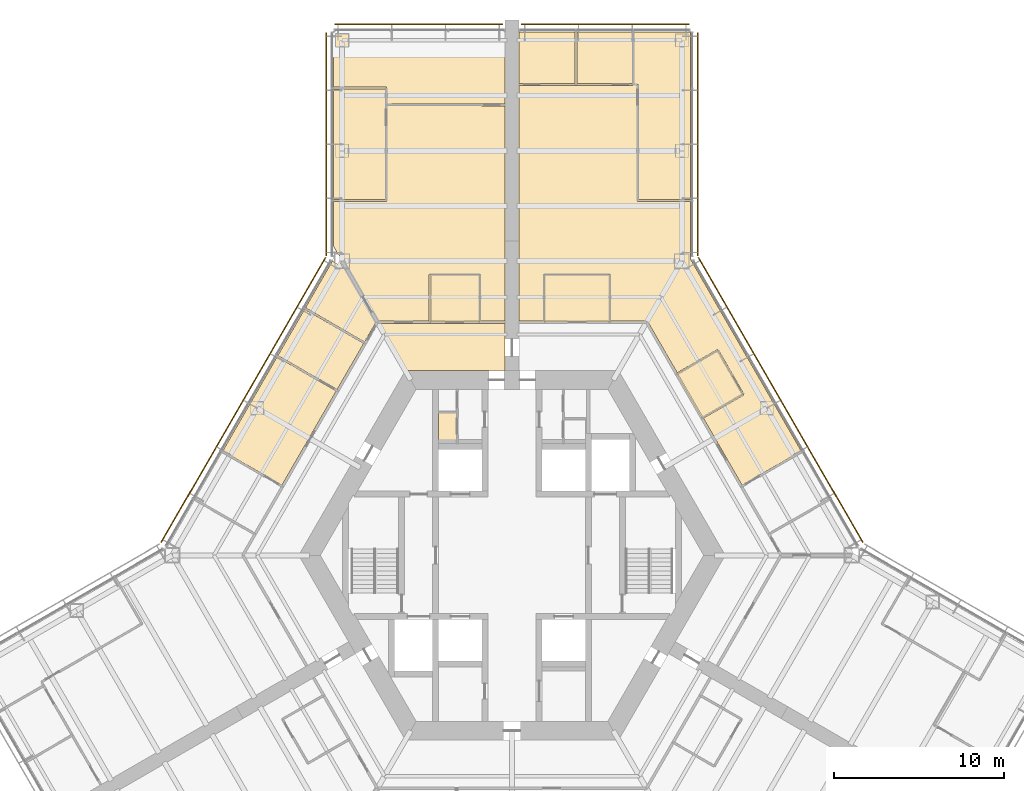
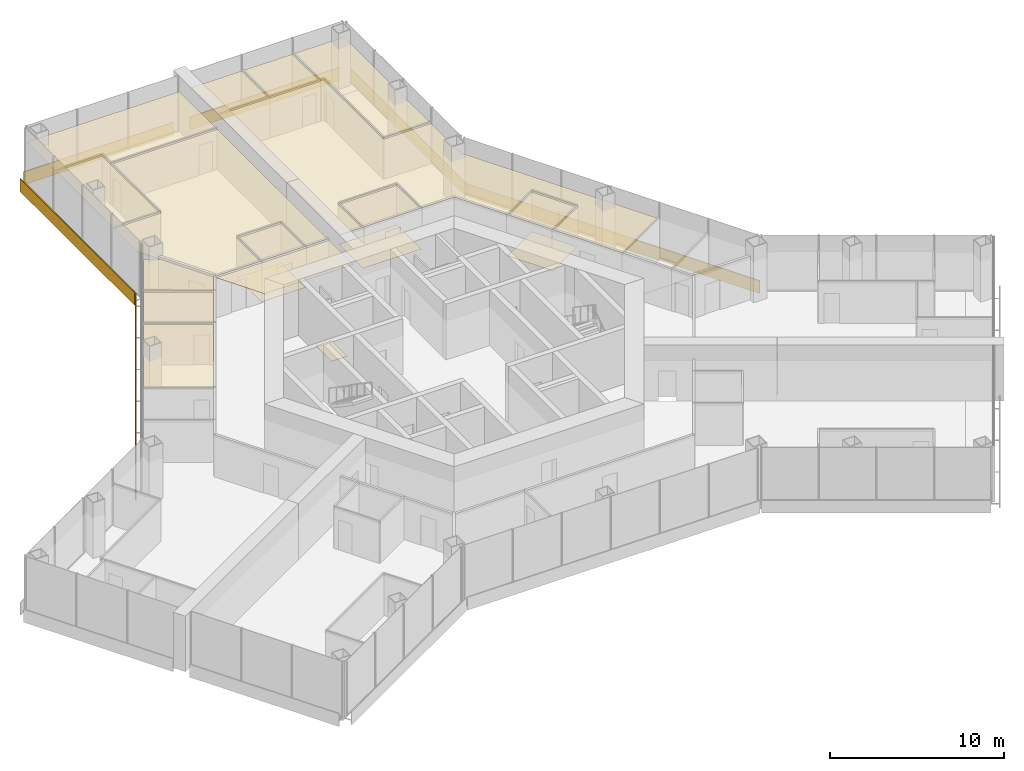
# One storey, part 19 of 19: 18 coverings, 6 shading devices.
"""IFC4 building model written with IfcOpenShell, lengths in metres."""

from ifc_helpers import new_model, si_unit, direction, frame, origin, origin_2d, place, context, subcontext, project, spatial, polyline, rectangle, outline, extrude, material, layer, layer_set, type_object, element, save


model = new_model("IFC4")

# Units and contexts
model_context = context("Model", 3, precision=1e-05, world=origin(), true_north=direction((0.0, 1.0)))
body_context = subcontext(model_context, "Body", "Model", "MODEL_VIEW")
ifc_project = project(units=[si_unit("LENGTHUNIT", "METRE"), si_unit("AREAUNIT", "SQUARE_METRE"), si_unit("VOLUMEUNIT", "CUBIC_METRE"), si_unit("PLANEANGLEUNIT", "RADIAN"), si_unit("MASSUNIT", "GRAM", prefix="KILO")], contexts=[model_context])

# Site, building, storey
site_placement = place(None, origin())
site = spatial("IfcSite", under=ifc_project, at=site_placement, CompositionType="ELEMENT")
building_placement = place(site_placement, origin())
building = spatial("IfcBuilding", under=site, at=building_placement, Name="Kasaneha Research Tower", CompositionType="ELEMENT")
storey_placement = place(building_placement, frame((0.0, 0.0, 104.10009765625)))
storey = spatial("IfcBuildingStorey", under=building, at=storey_placement, Name="L26", CompositionType="ELEMENT", Elevation=104.10009765625)

# Coverings
ifc_material_1 = material(Name="Gypsum ceiling board", Category="gypsum")
ifc_layer_1 = layer(ifc_material_1, 0.02001953125)
ifc_layer_set_1 = layer_set([ifc_layer_1], Name="Suspended ceiling 20")
covering_type_1 = type_object("IfcCoveringType", Name="Suspended ceiling 20", PredefinedType="CEILING", material=ifc_layer_set_1)
covering_1_placement = place(storey_placement, frame((0.0, 0.0, 2.7998046875)))
element("IfcCovering", 1, at=covering_1_placement, inside=storey, type_object=covering_type_1, Name="Ceiling L26-27", PredefinedType="CEILING", context=body_context, shape_type="SweptSolid", body=[
    extrude(outline(polyline([(1.954345703125, 13.800048828125), (1.9501953125, 16.47509765625), (5.70703125, 16.47509765625), (5.70263671875, 13.800048828125), (1.954345703125, 13.800048828125)])), origin(), (0.0, 0.0, 1.0), 0.02001953125),
])
covering_2_placement = place(storey_placement, frame((0.0, 0.0, 2.7998046875)))
element("IfcCovering", 2, at=covering_2_placement, inside=storey, type_object=covering_type_1, Name="Ceiling L26-28", PredefinedType="CEILING", context=body_context, shape_type="SweptSolid", body=[
    extrude(outline(polyline([(9.7783203125, 10.663330078125), (12.0927734375, 12.004638671875), (13.542724609375, 9.4931640625), (11.223876953125, 8.159423828125), (9.7783203125, 10.663330078125)])), origin(), (0.0, 0.0, 1.0), 0.02001953125),
])
covering_3_placement = place(storey_placement, frame((0.0, 0.0, 2.7998046875)))
element("IfcCovering", 3, at=covering_3_placement, inside=storey, type_object=covering_type_1, Name="Ceiling L26-29", PredefinedType="CEILING", context=body_context, shape_type="SweptSolid", body=[
    extrude(outline(polyline([(7.39892578125, 27.719482421875), (7.13330078125, 27.719970703125), (7.13330078125, 27.719970703125), (7.188232421875, 27.719970703125), (7.18359375, 30.800537109375), (7.1337890625, 30.800537109375), (7.1337890625, 30.821044921875), (10.50048828125, 30.820556640625), (10.5, 20.89111328125), (10.5, 20.941162109375), (7.449951171875, 20.941162109375), (7.448974609375, 27.719482421875), (7.39892578125, 27.719482421875), (7.39892578125, 27.719482421875)])), origin(), (0.0, 0.0, 1.0), 0.02001953125),
])
covering_4_placement = place(storey_placement, frame((0.0, 0.0, 2.7998046875)))
element("IfcCovering", 4, at=covering_4_placement, inside=storey, type_object=covering_type_1, Name="Ceiling L26-30", PredefinedType="CEILING", context=body_context, shape_type="SweptSolid", body=[
    extrude(outline(polyline([(7.13330078125, 30.820556640625), (7.13330078125, 30.800537109375), (7.083740234375, 30.800537109375), (7.088134765625, 27.7744140625), (3.821533203125, 27.77490234375), (3.816650390625, 30.800537109375), (3.7666015625, 30.800537109375), (3.7666015625, 30.820556640625), (7.13330078125, 30.820556640625)])), origin(), (0.0, 0.0, 1.0), 0.02001953125),
])
covering_5_placement = place(storey_placement, frame((0.0, 0.0, 2.7998046875)))
element("IfcCovering", 5, at=covering_5_placement, inside=storey, type_object=covering_type_1, Name="Ceiling L26-31", PredefinedType="CEILING", context=body_context, shape_type="SweptSolid", body=[
    extrude(outline(polyline([(3.7666015625, 30.820556640625), (3.7666015625, 30.800537109375), (3.716796875, 30.800537109375), (3.7216796875, 27.774658203125), (0.419921875, 27.7705078125), (0.419921875, 27.720458984375), (0.39990234375, 27.720458984375), (0.39990234375, 30.820556640625), (3.7666015625, 30.820556640625)])), origin(), (0.0, 0.0, 1.0), 0.02001953125),
])
covering_6_placement = place(storey_placement, frame((0.0, 0.0, 2.7998046875)))
element("IfcCovering", 6, at=covering_6_placement, inside=storey, type_object=covering_type_1, Name="Ceiling L26-34", PredefinedType="CEILING", context=body_context, shape_type="SweptSolid", body=[
    extrude(outline(polyline([(13.611572265625, 9.474853515625), (13.611328125, 9.47509765625), (13.654296875, 9.5), (12.154296875, 12.097900390625), (12.111572265625, 12.0732421875), (12.111328125, 12.073486328125), (12.111083984375, 12.0732421875), (12.0859375, 12.1162109375), (9.728271484375, 10.75), (7.989013671875, 13.762451171875), (7.924560546875, 13.725341796875), (7.924560546875, 13.725341796875), (7.924072265625, 13.725341796875), (7.924072265625, 13.800048828125), (5.802734375, 13.800048828125), (5.806884765625, 16.52490234375), (5.757080078125, 16.52490234375), (5.757080078125, 16.525390625), (5.757080078125, 16.525390625), (5.757080078125, 16.574951171875), (1.89990234375, 16.574951171875), (1.89990234375, 16.525390625), (1.899658203125, 16.525390625), (1.899658203125, 16.52490234375), (1.85009765625, 16.52490234375), (1.8544921875, 13.800048828125), (0.419921875, 13.800048828125), (0.419921875, 13.7255859375), (0.39990234375, 13.7255859375), (0.39990234375, 27.719970703125), (0.419921875, 27.719970703125), (0.420166015625, 27.67041015625), (3.766845703125, 27.6748046875), (7.13330078125, 27.674560546875), (7.13330078125, 27.719482421875), (7.39892578125, 27.719482421875), (7.39892578125, 27.719482421875), (7.34912109375, 27.719482421875), (7.35009765625, 20.89111328125), (7.399658203125, 20.89111328125), (7.399658203125, 20.890869140625), (7.39990234375, 20.890869140625), (7.39990234375, 20.841064453125), (10.5, 20.841064453125), (10.5, 17.45458984375), (17.055908203125, 6.09912109375), (17.055908203125, 6.09912109375), (17.03125, 6.14208984375), (13.551513671875, 4.128173828125), (11.27392578125, 8.072998046875), (13.635986328125, 9.431640625), (13.611328125, 9.474609375), (13.611572265625, 9.474853515625)])), origin(), (0.0, 0.0, 1.0), 0.02001953125),
])
covering_7_placement = place(storey_placement, frame((0.0, 0.0, 2.7998046875)))
element("IfcCovering", 7, at=covering_7_placement, inside=storey, type_object=covering_type_1, Name="Ceiling L26-35", PredefinedType="CEILING", context=body_context, shape_type="SweptSolid", body=[
    extrude(outline(polyline([(-0.39990234375, 11.72509765625), (-0.39990234375, 10.875), (-6.278564453125, 10.875), (-7.880859375, 13.64990234375), (-4.833984375, 13.64990234375), (-4.824462890625, 13.64990234375), (-1.904541015625, 13.64990234375), (-1.89501953125, 13.64990234375), (-0.419921875, 13.64990234375), (-0.419921875, 13.72509765625), (-0.39990234375, 13.72509765625), (-0.39990234375, 12.72509765625), (-0.39990234375, 11.72509765625)])), origin(), (0.0, 0.0, 1.0), 0.02001953125),
])
covering_8_placement = place(storey_placement, frame((0.0, 0.0, 2.7998046875)))
element("IfcCovering", 8, at=covering_8_placement, inside=storey, type_object=covering_type_1, Name="Ceiling L26-36", PredefinedType="CEILING", context=body_context, shape_type="SweptSolid", body=[
    extrude(outline(polyline([(-4.774658203125, 13.800048828125), (-4.77880859375, 16.47509765625), (-1.9501953125, 16.47509765625), (-1.954345703125, 13.800048828125), (-4.774658203125, 13.800048828125)])), origin(), (0.0, 0.0, 1.0), 0.02001953125),
])
covering_9_placement = place(storey_placement, frame((0.0, 0.0, 2.7998046875)))
element("IfcCovering", 9, at=covering_9_placement, inside=storey, type_object=covering_type_1, Name="Ceiling L26-37", PredefinedType="CEILING", context=body_context, shape_type="SweptSolid", body=[
    extrude(outline(polyline([(-10.5, 27.460693359375), (-7.449951171875, 27.460693359375), (-7.449951171875, 26.5244140625), (-7.449951171875, 26.514404296875), (-7.449951171875, 20.941162109375), (-10.5, 20.941162109375), (-10.5, 27.460693359375)])), origin(), (0.0, 0.0, 1.0), 0.02001953125),
])
covering_10_placement = place(storey_placement, frame((0.0, 0.0, 2.7998046875)))
element("IfcCovering", 10, at=covering_10_placement, inside=storey, type_object=covering_type_1, Name="Ceiling L26-38", PredefinedType="CEILING", context=body_context, shape_type="SweptSolid", body=[
    extrude(outline(polyline([(-0.419921875, 26.5205078125), (-0.419921875, 26.570556640625), (-7.35009765625, 26.574462890625), (-7.35009765625, 27.5107421875), (-7.39990234375, 27.5107421875), (-7.39990234375, 27.560791015625), (-10.5, 27.560791015625), (-10.5, 27.510986328125), (-10.50048828125, 27.510986328125), (-10.500244140625, 30.821044921875), (-0.39990234375, 30.820556640625), (-0.39990234375, 26.5205078125), (-0.419921875, 26.5205078125)])), origin(), (0.0, 0.0, 1.0), 0.02001953125),
])
covering_11_placement = place(storey_placement, frame((0.0, 0.0, 2.7998046875)))
element("IfcCovering", 11, at=covering_11_placement, inside=storey, type_object=covering_type_1, Name="Ceiling L26-39", PredefinedType="CEILING", context=body_context, shape_type="SweptSolid", body=[
    extrude(outline(polyline([(-1.89990234375, 16.525390625), (-1.89990234375, 16.574951171875), (-4.8291015625, 16.574951171875), (-4.8291015625, 16.525390625), (-4.8291015625, 16.52490234375), (-4.87890625, 16.52490234375), (-4.87451171875, 13.800048828125), (-7.90087890625, 13.800048828125), (-7.90087890625, 13.725341796875), (-7.92431640625, 13.725341796875), (-10.5, 18.1865234375), (-10.5, 20.841064453125), (-7.39990234375, 20.841064453125), (-7.39990234375, 20.890869140625), (-7.399658203125, 20.890869140625), (-7.399658203125, 20.89111328125), (-7.35009765625, 20.89111328125), (-7.35009765625, 26.474365234375), (-0.419921875, 26.470458984375), (-0.419921875, 26.52001953125), (-0.39990234375, 26.52001953125), (-0.39990234375, 13.7255859375), (-0.419921875, 13.7255859375), (-0.419921875, 13.800048828125), (-1.8544921875, 13.800048828125), (-1.85009765625, 16.52490234375), (-1.899658203125, 16.52490234375), (-1.899658203125, 16.525390625), (-1.89990234375, 16.525390625)])), origin(), (0.0, 0.0, 1.0), 0.02001953125),
])
covering_12_placement = place(storey_placement, frame((0.0, 0.0, 2.7998046875)))
element("IfcCovering", 12, at=covering_12_placement, inside=storey, type_object=covering_type_1, Name="Ceiling L26-45", PredefinedType="CEILING", context=body_context, shape_type="SweptSolid", body=[
    extrude(outline(polyline([(-13.809814453125, 11.7216796875), (-12.211669921875, 14.489990234375), (-8.732177734375, 12.475341796875), (-10.30078125, 9.758544921875), (-13.767578125, 11.755126953125), (-13.79248046875, 11.711669921875), (-13.809814453125, 11.7216796875)])), origin(), (0.0, 0.0, 1.0), 0.02001953125),
])
covering_13_placement = place(storey_placement, frame((0.0, 0.0, 2.7998046875)))
element("IfcCovering", 13, at=covering_13_placement, inside=storey, type_object=covering_type_1, Name="Ceiling L26-46", PredefinedType="CEILING", context=body_context, shape_type="SweptSolid", body=[
    extrude(outline(polyline([(-10.578369140625, 17.318603515625), (-9.709228515625, 16.81689453125), (-7.924072265625, 13.72509765625), (-7.935791015625, 13.705078125), (-8.000732421875, 13.742431640625), (-8.68212890625, 12.56201171875), (-12.16162109375, 14.576416015625), (-12.1865234375, 14.533203125), (-12.1865234375, 14.533203125), (-10.578369140625, 17.318603515625)])), origin(), (0.0, 0.0, 1.0), 0.02001953125),
])
covering_14_placement = place(storey_placement, frame((0.0, 0.0, 2.7998046875)))
element("IfcCovering", 14, at=covering_14_placement, inside=storey, type_object=covering_type_1, Name="Ceiling L26-48", PredefinedType="CEILING", context=body_context, shape_type="SweptSolid", body=[
    extrude(outline(polyline([(-17.055908203125, 6.09912109375), (-13.81005859375, 11.72119140625), (-13.792724609375, 11.711181640625), (-13.8173828125, 11.66845703125), (-10.350830078125, 9.671875), (-13.551513671875, 4.128173828125), (-17.03125, 6.14208984375), (-17.055908203125, 6.09912109375), (-17.055908203125, 6.09912109375)])), origin(), (0.0, 0.0, 1.0), 0.02001953125),
])

# Shading devices
ifc_material_2 = material(Name="Terracotta", Category="masonry")
ifc_layer_2 = layer(ifc_material_2, 0.06005859375)
ifc_layer_set_2 = layer_set([ifc_layer_2], Name="Terracotta baguette screen")
shading_device_type = type_object("IfcShadingDeviceType", Name="Terracotta baguette screen", PredefinedType="USERDEFINED", material=ifc_layer_set_2)
shading_device_1_placement = place(storey_placement, frame((15.82275390625, 9.13525390625, -0.449951171875), z_axis=(0.0, 0.0, 1.0), x_axis=(-0.49999996188, 0.866025425793, 0.0)))
element("IfcShadingDevice", 15, at=shading_device_1_placement, inside=storey, type_object=shading_device_type, Name="Baguette screen L26 07", ObjectType="TERRACOTTA BAGUETTE SCREEN", PredefinedType="USERDEFINED", context=body_context, shape_type="SweptSolid", body=[
    extrude(rectangle(XDim=19.37841796875, YDim=0.06005859375, at=origin_2d()), origin(), (0.0, 0.0, 1.0), 0.89990234375),
])
shading_device_2_placement = place(storey_placement, frame((10.949951171875, 24.200927734375, -0.449951171875), z_axis=(0.0, 0.0, 1.0), x_axis=(0.0, 1.0, 0.0)))
element("IfcShadingDevice", 16, at=shading_device_2_placement, inside=storey, type_object=shading_device_type, Name="Baguette screen L26 08", ObjectType="TERRACOTTA BAGUETTE SCREEN", PredefinedType="USERDEFINED", context=body_context, shape_type="SweptSolid", body=[
    extrude(rectangle(XDim=13.13916015625, YDim=0.06005859375, at=origin_2d()), origin(), (0.0, 0.0, 1.0), 0.89990234375),
])
for number, where, z_axis, x_axis, name in (
    (17, (5.5, 31.2705078125, -0.449951171875), (0.0, 0.0, 1.0), (-1.0, 0.0, 0.0), "Baguette screen L26 09"),
    (18, (-5.5, 31.2705078125, -0.449951171875), (0.0, 0.0, 1.0), (-1.0, 0.0, 0.0), "Baguette screen L26 10"),
):
    element("IfcShadingDevice", number, at=place(storey_placement, frame(where, z_axis=z_axis, x_axis=x_axis)), inside=storey, type_object=shading_device_type, Name=name, ObjectType="TERRACOTTA BAGUETTE SCREEN", PredefinedType="USERDEFINED", context=body_context, shape_type="SweptSolid", body=[
        extrude(rectangle(XDim=9.89990234375, YDim=0.06005859375, at=origin_2d()), origin(), (0.0, 0.0, 1.0), 0.89990234375),
    ])
shading_device_3_placement = place(storey_placement, frame((-10.949951171875, 24.200927734375, -0.449951171875), z_axis=(0.0, 0.0, 1.0), x_axis=(0.0, -1.0, 0.0)))
element("IfcShadingDevice", 19, at=shading_device_3_placement, inside=storey, type_object=shading_device_type, Name="Baguette screen L26 11", ObjectType="TERRACOTTA BAGUETTE SCREEN", PredefinedType="USERDEFINED", context=body_context, shape_type="SweptSolid", body=[
    extrude(rectangle(XDim=13.13916015625, YDim=0.06005859375, at=origin_2d()), origin(), (0.0, 0.0, 1.0), 0.89990234375),
])
shading_device_4_placement = place(storey_placement, frame((-15.82275390625, 9.13525390625, -0.449951171875), z_axis=(0.0, 0.0, 1.0), x_axis=(-0.49999996188, -0.866025425793, 0.0)))
element("IfcShadingDevice", 20, at=shading_device_4_placement, inside=storey, type_object=shading_device_type, Name="Baguette screen L26 12", ObjectType="TERRACOTTA BAGUETTE SCREEN", PredefinedType="USERDEFINED", context=body_context, shape_type="SweptSolid", body=[
    extrude(rectangle(XDim=19.37841796875, YDim=0.06005859375, at=origin_2d()), origin(), (0.0, 0.0, 1.0), 0.89990234375),
])

# Coverings
ifc_material_3 = material(Name="Vinyl sheet flooring", Category="plastic")
ifc_layer_3 = layer(ifc_material_3, 0.0048828125)
ifc_layer_set_3 = layer_set([ifc_layer_3], Name="Wet room sheet flooring 5")
covering_type_2 = type_object("IfcCoveringType", Name="Wet room sheet flooring 5", PredefinedType="FLOORING", material=ifc_layer_set_3)
covering_15_placement = place(storey_placement, origin())
element("IfcCovering", 21, at=covering_15_placement, inside=storey, type_object=covering_type_2, Name="Floor finish L26-07", PredefinedType="FLOORING", context=body_context, shape_type="SweptSolid", body=[
    extrude(outline(polyline([(-4.324951171875, 6.574951171875), (-4.324951171875, 8.375), (-3.27490234375, 8.375), (-3.27490234375, 6.574951171875), (-4.324951171875, 6.574951171875)])), origin(), (0.0, 0.0, 1.0), 0.0048828125),
])
covering_16_placement = place(storey_placement, origin())
element("IfcCovering", 22, at=covering_16_placement, inside=storey, type_object=covering_type_2, Name="Floor finish L26-27", PredefinedType="FLOORING", context=body_context, shape_type="SweptSolid", body=[
    extrude(outline(polyline([(1.89990234375, 16.52490234375), (5.757080078125, 16.52490234375), (5.757080078125, 13.72509765625), (1.89990234375, 13.72509765625), (1.89990234375, 16.52490234375)])), origin(), (0.0, 0.0, 1.0), 0.0048828125),
])
covering_17_placement = place(storey_placement, origin())
element("IfcCovering", 23, at=covering_17_placement, inside=storey, type_object=covering_type_2, Name="Floor finish L26-28", PredefinedType="FLOORING", context=body_context, shape_type="SweptSolid", body=[
    extrude(outline(polyline([(12.111083984375, 12.072998046875), (13.611083984375, 9.474853515625), (11.186279296875, 8.074951171875), (9.686279296875, 10.673095703125), (12.111083984375, 12.072998046875)])), origin(), (0.0, 0.0, 1.0), 0.0048828125),
])
covering_18_placement = place(storey_placement, origin())
element("IfcCovering", 24, at=covering_18_placement, inside=storey, type_object=covering_type_2, Name="Floor finish L26-36", PredefinedType="FLOORING", context=body_context, shape_type="SweptSolid", body=[
    extrude(outline(polyline([(-4.8291015625, 16.52490234375), (-1.89990234375, 16.52490234375), (-1.89990234375, 13.72509765625), (-4.8291015625, 13.72509765625), (-4.8291015625, 16.52490234375)])), origin(), (0.0, 0.0, 1.0), 0.0048828125),
])

save(model, "model.ifc")
